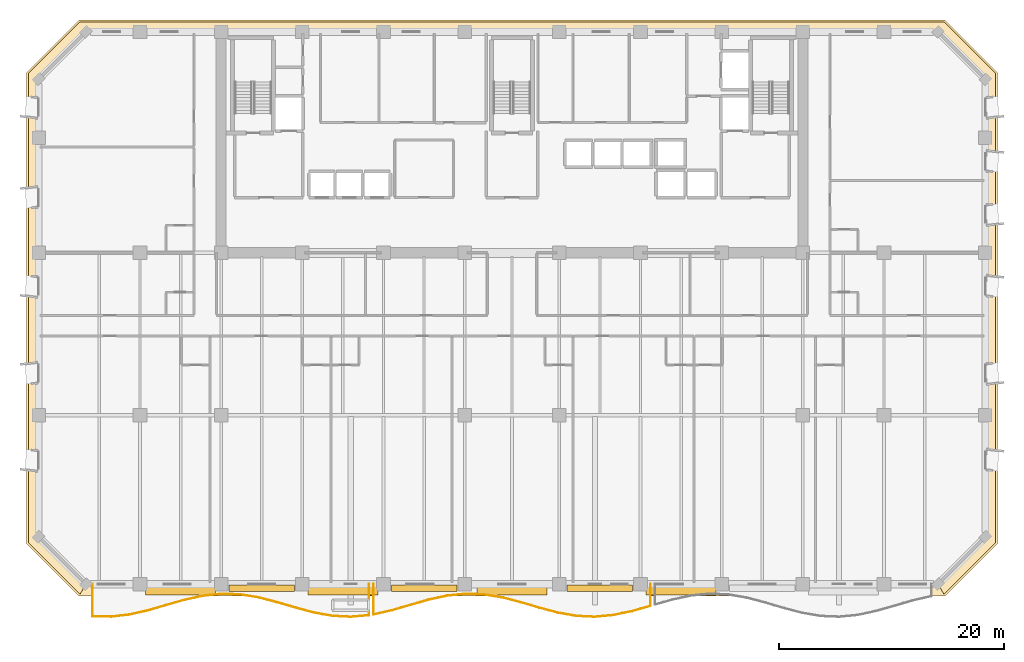
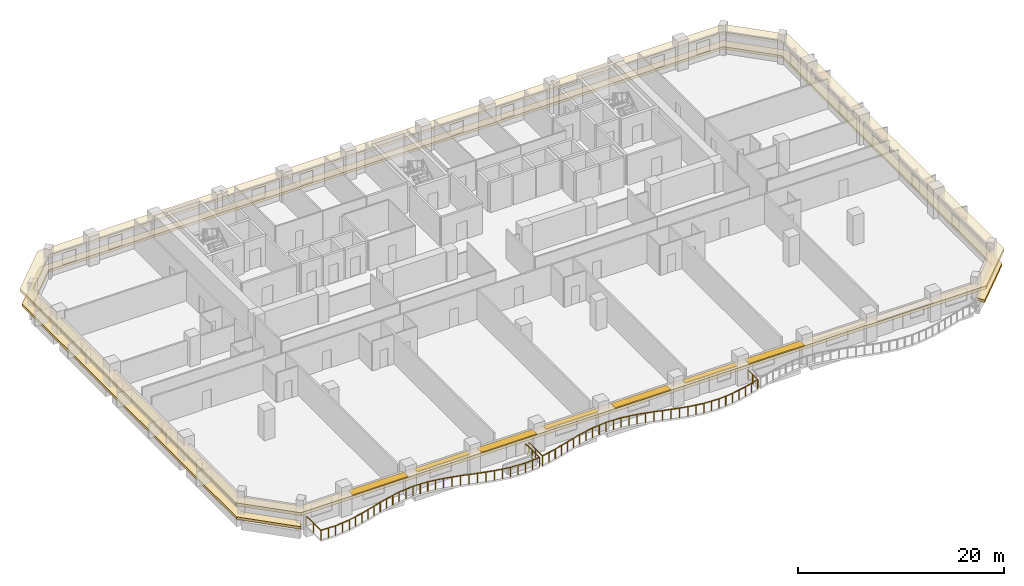
# One storey, part 12 of 15: 7 shading devices, 2 coverings, 2 railings.
"""IFC4 building model written with IfcOpenShell, lengths in metres."""

from ifc_helpers import new_model, si_unit, direction, frame, origin, origin_2d, place, context, subcontext, project, spatial, polyline, rectangle, outline, extrude, material, layer, layer_set, type_object, element, save


model = new_model("IFC4")

# Units and contexts
model_context = context("Model", 3, precision=1e-05, world=origin(), true_north=direction((0.0, 1.0)))
body_context = subcontext(model_context, "Body", "Model", "MODEL_VIEW")
ifc_project = project(units=[si_unit("LENGTHUNIT", "METRE"), si_unit("AREAUNIT", "SQUARE_METRE"), si_unit("VOLUMEUNIT", "CUBIC_METRE"), si_unit("PLANEANGLEUNIT", "RADIAN"), si_unit("MASSUNIT", "GRAM", prefix="KILO")], contexts=[model_context])

# Site, building, storey
site_placement = place(None, origin())
site = spatial("IfcSite", under=ifc_project, at=site_placement, CompositionType="ELEMENT")
building_placement = place(site_placement, origin())
building = spatial("IfcBuilding", under=site, at=building_placement, Name="Kaelvorn Grand Hotel", CompositionType="ELEMENT")
storey_placement = place(building_placement, frame((0.0, 0.0, 96.800048828125)))
storey = spatial("IfcBuildingStorey", under=building, at=storey_placement, Name="L22", CompositionType="ELEMENT", Elevation=96.800048828125)

# Coverings
ifc_material_1 = material(Name="Precast concrete C45/55", Category="concrete")
ifc_layer_1 = layer(ifc_material_1, 0.260009765625)
ifc_layer_set_1 = layer_set([ifc_layer_1], Name="Precast concrete C45/55")
covering_type_1 = type_object("IfcCoveringType", Name="COV-BAND-STREAMLINE-HEAD", PredefinedType="CLADDING", material=ifc_layer_set_1)
covering_1_placement = place(storey_placement, frame((0.0, 0.0, 2.179931640625)))
element("IfcCovering", 1, at=covering_1_placement, inside=storey, type_object=covering_type_1, Name="L22 Streamline Moderne Wraparound Horizontal Eyebrow Band", PredefinedType="CLADDING", context=body_context, shape_type="SweptSolid", body=[
    extrude(outline(polyline([(3.590087890625, -1.050048828125), (80.409912109375, -1.050048828125), (85.050048828125, 3.590087890625), (85.050048828125, 45.409912109375), (80.409912109375, 50.050048828125), (3.590087890625, 50.050048828125), (-1.050048828125, 45.409912109375), (-1.050048828125, 3.590087890625), (3.590087890625, -1.050048828125)]), holes=[polyline([(4.219970703125, 0.030029296875), (79.780029296875, 0.030029296875), (83.969970703125, 4.219970703125), (83.969970703125, 44.780029296875), (79.780029296875, 48.969970703125), (4.219970703125, 48.969970703125), (0.030029296875, 44.780029296875), (0.030029296875, 4.219970703125), (4.219970703125, 0.030029296875)])]), origin(), (0.0, 0.0, 1.0), 0.360107421875),
])
ifc_layer_2 = layer(ifc_material_1, 0.219970703125)
ifc_layer_set_2 = layer_set([ifc_layer_2], Name="Precast concrete C45/55")
covering_type_2 = type_object("IfcCoveringType", Name="COV-BAND-STREAMLINE-SILL", PredefinedType="CLADDING", material=ifc_layer_set_2)
covering_2_placement = place(storey_placement, frame((0.0, 0.0, 0.449951171875)))
element("IfcCovering", 2, at=covering_2_placement, inside=storey, type_object=covering_type_2, Name="L22 Streamline Moderne Wraparound Horizontal Sill Spandrel Band", PredefinedType="CLADDING", context=body_context, shape_type="SweptSolid", body=[
    extrude(outline(polyline([(80.3154296875, -0.8798828125), (84.8798828125, 3.6845703125), (84.8798828125, 45.3154296875), (80.3154296875, 49.8798828125), (3.6845703125, 49.8798828125), (-0.8798828125, 45.3154296875), (-0.8798828125, 3.6845703125), (3.6845703125, -0.8798828125), (4.217529296875, 0.030029296875), (0.030029296875, 4.217529296875), (0.030029296875, 44.782470703125), (4.217529296875, 48.969970703125), (79.782470703125, 48.969970703125), (83.969970703125, 44.782470703125), (83.969970703125, 4.217529296875), (79.782470703125, 0.030029296875), (80.3154296875, -0.8798828125)])), origin(), (0.0, 0.0, 1.0), 0.300048828125),
])

# Railings
ifc_material_2 = material(Name="Stainless Steel", Category="steel")
railing_type = type_object("IfcRailingType", Name="RL-BALC-1150", PredefinedType="BALUSTRADE", material=ifc_material_2)
railing_1_placement = place(storey_placement, frame((4.800048828125, 0.0, 0.0)))
element("IfcRailing", 3, at=railing_1_placement, inside=storey, type_object=railing_type, Name="L22 Scalloped Wave Balcony Balustrade GR1-1", PredefinedType="BALUSTRADE", context=body_context, shape_type="SweptSolid", body=[
    extrude(rectangle(XDim=0.048095703125, YDim=0.048095703125, at=origin_2d()), frame((0.0, 0.0, 1.1259765625), z_axis=(0.0, -1.0, 0.0), x_axis=(1.0, 0.0, 0.0)), (0.0, 0.0, 1.0), 2.849853515625),
    extrude(rectangle(XDim=0.048095703125, YDim=0.048095703125, at=origin_2d()), frame((0.0, -2.849853515625, 1.1259765625), z_axis=(0.999746055688, -0.022534953636, 0.0), x_axis=(0.022534953636, 0.999746055688, 0.0)), (0.0, 0.0, 1.0), 1.635986328125),
    extrude(rectangle(XDim=0.048095703125, YDim=0.048095703125, at=origin_2d()), frame((1.635498046875, -2.88671875, 1.1259765625), z_axis=(0.993458851833, 0.114190672624, 0.0), x_axis=(-0.114190672624, 0.993458851833, 0.0)), (0.0, 0.0, 1.0), 1.646240234375),
    extrude(rectangle(XDim=0.048095703125, YDim=0.048095703125, at=origin_2d()), frame((3.27099609375, -2.69873046875, 1.1259765625), z_axis=(0.975249967804, 0.221105179268, 0.0), x_axis=(-0.221105179268, 0.975249967804, 0.0)), (0.0, 0.0, 1.0), 1.67724609375),
    extrude(rectangle(XDim=0.048095703125, YDim=0.048095703125, at=origin_2d()), frame((4.90673828125, -2.327880859375, 1.1259765625), z_axis=(0.960877196389, 0.276974752385, 0.0), x_axis=(-0.276974752385, 0.960877196389, 0.0)), (0.0, 0.0, 1.0), 1.7021484375),
    extrude(rectangle(XDim=0.048095703125, YDim=0.048095703125, at=origin_2d()), frame((6.542236328125, -1.8564453125, 1.1259765625), z_axis=(0.961523947641, 0.274721127897, 0.0), x_axis=(-0.274721127897, 0.961523947641, 0.0)), (0.0, 0.0, 1.0), 1.700927734375),
    extrude(rectangle(XDim=0.048095703125, YDim=0.048095703125, at=origin_2d()), frame((8.177734375, -1.38916015625, 1.1259765625), z_axis=(0.976698893924, 0.21461423673, 0.0), x_axis=(-0.21461423673, 0.976698893924, 0.0)), (0.0, 0.0, 1.0), 1.674560546875),
    extrude(rectangle(XDim=0.048095703125, YDim=0.048095703125, at=origin_2d()), frame((9.813232421875, -1.02978515625, 1.1259765625), z_axis=(0.994538755279, 0.104367927297, 0.0), x_axis=(-0.104367927297, 0.994538755279, 0.0)), (0.0, 0.0, 1.0), 1.64453125),
    extrude(rectangle(XDim=0.048095703125, YDim=0.048095703125, at=origin_2d()), frame((11.44873046875, -0.858154296875, 1.1259765625), z_axis=(0.999451509735, -0.033116154502, 0.0), x_axis=(0.033116154502, 0.999451509735, 0.0)), (0.0, 0.0, 1.0), 1.63671875),
    extrude(rectangle(XDim=0.048095703125, YDim=0.048095703125, at=origin_2d()), frame((13.08447265625, -0.912353515625, 1.1259765625), z_axis=(0.986832291042, -0.161746806324, 0.0), x_axis=(0.161746806324, 0.986832291042, 0.0)), (0.0, 0.0, 1.0), 1.6572265625),
    extrude(rectangle(XDim=0.048095703125, YDim=0.048095703125, at=origin_2d()), frame((14.719970703125, -1.180419921875, 1.1259765625), z_axis=(0.96823444274, -0.25004412389, 0.0), x_axis=(0.25004412389, 0.96823444274, 0.0)), (0.0, 0.0, 1.0), 1.689208984375),
    extrude(rectangle(XDim=0.048095703125, YDim=0.048095703125, at=origin_2d()), frame((16.35546875, -1.602783203125, 1.1259765625), z_axis=(0.959105197492, -0.283049854522, 0.0), x_axis=(0.283049854522, 0.959105197492, 0.0)), (0.0, 0.0, 1.0), 1.705322265625),
    extrude(rectangle(XDim=0.048095703125, YDim=0.048095703125, at=origin_2d()), frame((17.990966796875, -2.08544921875, 1.1259765625), z_axis=(0.966258871987, -0.257572887368, 0.0), x_axis=(0.257572887368, 0.966258871987, 0.0)), (0.0, 0.0, 1.0), 1.69287109375),
    extrude(rectangle(XDim=0.048095703125, YDim=0.048095703125, at=origin_2d()), frame((19.626708984375, -2.521484375, 1.1259765625), z_axis=(0.984383042767, -0.176039839563, 0.0), x_axis=(0.176039839563, 0.984383042767, 0.0)), (0.0, 0.0, 1.0), 1.661376953125),
    extrude(rectangle(XDim=0.048095703125, YDim=0.048095703125, at=origin_2d()), frame((21.26220703125, -2.81396484375, 1.1259765625), z_axis=(0.998684141863, -0.05128337734, 0.0), x_axis=(0.05128337734, 0.998684141863, 0.0)), (0.0, 0.0, 1.0), 1.6376953125),
    extrude(rectangle(XDim=0.048095703125, YDim=0.048095703125, at=origin_2d()), frame((22.897705078125, -2.89794921875, 1.1259765625), z_axis=(0.996182895251, 0.087290544785, 0.0), x_axis=(-0.087290544785, 0.996182895251, 0.0)), (0.0, 0.0, 1.0), 1.641845703125),
    extrude(rectangle(XDim=0.048095703125, YDim=0.048095703125, at=origin_2d()), frame((24.533203125, -2.754638671875, 1.1259765625), z_axis=(0.0, 1.0, 0.0), x_axis=(-1.0, 0.0, 0.0)), (0.0, 0.0, 1.0), 2.754638671875),
    extrude(rectangle(XDim=0.0419921875, YDim=0.0419921875, at=origin_2d()), origin(), (0.0, 0.0, 1.0), 1.101806640625),
    extrude(rectangle(XDim=0.0419921875, YDim=0.0419921875, at=origin_2d()), frame((0.0, -1.4248046875, 0.0)), (0.0, 0.0, 1.0), 1.101806640625),
    extrude(rectangle(XDim=0.0419921875, YDim=0.0419921875, at=origin_2d()), frame((0.0, -2.849853515625, 0.0)), (0.0, 0.0, 1.0), 1.101806640625),
    extrude(rectangle(XDim=0.0419921875, YDim=0.0419921875, at=origin_2d()), frame((0.81787109375, -2.8681640625, 0.0)), (0.0, 0.0, 1.0), 1.101806640625),
    extrude(rectangle(XDim=0.0419921875, YDim=0.0419921875, at=origin_2d()), frame((1.635498046875, -2.88671875, 0.0)), (0.0, 0.0, 1.0), 1.101806640625),
    extrude(rectangle(XDim=0.0419921875, YDim=0.0419921875, at=origin_2d()), frame((2.453125, -2.792724609375, 0.0)), (0.0, 0.0, 1.0), 1.101806640625),
    extrude(rectangle(XDim=0.0419921875, YDim=0.0419921875, at=origin_2d()), frame((3.27099609375, -2.69873046875, 0.0)), (0.0, 0.0, 1.0), 1.101806640625),
    extrude(rectangle(XDim=0.0419921875, YDim=0.0419921875, at=origin_2d()), frame((4.0888671875, -2.51318359375, 0.0)), (0.0, 0.0, 1.0), 1.101806640625),
    extrude(rectangle(XDim=0.0419921875, YDim=0.0419921875, at=origin_2d()), frame((4.90673828125, -2.327880859375, 0.0)), (0.0, 0.0, 1.0), 1.101806640625),
    extrude(rectangle(XDim=0.0419921875, YDim=0.0419921875, at=origin_2d()), frame((5.724609375, -2.09228515625, 0.0)), (0.0, 0.0, 1.0), 1.101806640625),
    extrude(rectangle(XDim=0.0419921875, YDim=0.0419921875, at=origin_2d()), frame((6.542236328125, -1.8564453125, 0.0)), (0.0, 0.0, 1.0), 1.101806640625),
    extrude(rectangle(XDim=0.0419921875, YDim=0.0419921875, at=origin_2d()), frame((7.35986328125, -1.622802734375, 0.0)), (0.0, 0.0, 1.0), 1.101806640625),
    extrude(rectangle(XDim=0.0419921875, YDim=0.0419921875, at=origin_2d()), frame((8.177734375, -1.38916015625, 0.0)), (0.0, 0.0, 1.0), 1.101806640625),
    extrude(rectangle(XDim=0.0419921875, YDim=0.0419921875, at=origin_2d()), frame((8.99560546875, -1.20947265625, 0.0)), (0.0, 0.0, 1.0), 1.101806640625),
    extrude(rectangle(XDim=0.0419921875, YDim=0.0419921875, at=origin_2d()), frame((9.813232421875, -1.02978515625, 0.0)), (0.0, 0.0, 1.0), 1.101806640625),
    extrude(rectangle(XDim=0.0419921875, YDim=0.0419921875, at=origin_2d()), frame((10.630859375, -0.94384765625, 0.0)), (0.0, 0.0, 1.0), 1.101806640625),
    extrude(rectangle(XDim=0.0419921875, YDim=0.0419921875, at=origin_2d()), frame((11.44873046875, -0.858154296875, 0.0)), (0.0, 0.0, 1.0), 1.101806640625),
    extrude(rectangle(XDim=0.0419921875, YDim=0.0419921875, at=origin_2d()), frame((12.2666015625, -0.88525390625, 0.0)), (0.0, 0.0, 1.0), 1.101806640625),
    extrude(rectangle(XDim=0.0419921875, YDim=0.0419921875, at=origin_2d()), frame((13.08447265625, -0.912353515625, 0.0)), (0.0, 0.0, 1.0), 1.101806640625),
    extrude(rectangle(XDim=0.0419921875, YDim=0.0419921875, at=origin_2d()), frame((13.90234375, -1.04638671875, 0.0)), (0.0, 0.0, 1.0), 1.101806640625),
    extrude(rectangle(XDim=0.0419921875, YDim=0.0419921875, at=origin_2d()), frame((14.719970703125, -1.180419921875, 0.0)), (0.0, 0.0, 1.0), 1.101806640625),
    extrude(rectangle(XDim=0.0419921875, YDim=0.0419921875, at=origin_2d()), frame((15.53759765625, -1.3916015625, 0.0)), (0.0, 0.0, 1.0), 1.101806640625),
    extrude(rectangle(XDim=0.0419921875, YDim=0.0419921875, at=origin_2d()), frame((16.35546875, -1.602783203125, 0.0)), (0.0, 0.0, 1.0), 1.101806640625),
    extrude(rectangle(XDim=0.0419921875, YDim=0.0419921875, at=origin_2d()), frame((17.17333984375, -1.84423828125, 0.0)), (0.0, 0.0, 1.0), 1.101806640625),
    extrude(rectangle(XDim=0.0419921875, YDim=0.0419921875, at=origin_2d()), frame((17.990966796875, -2.08544921875, 0.0)), (0.0, 0.0, 1.0), 1.101806640625),
    extrude(rectangle(XDim=0.0419921875, YDim=0.0419921875, at=origin_2d()), frame((18.808837890625, -2.303466796875, 0.0)), (0.0, 0.0, 1.0), 1.101806640625),
    extrude(rectangle(XDim=0.0419921875, YDim=0.0419921875, at=origin_2d()), frame((19.626708984375, -2.521484375, 0.0)), (0.0, 0.0, 1.0), 1.101806640625),
    extrude(rectangle(XDim=0.0419921875, YDim=0.0419921875, at=origin_2d()), frame((20.4443359375, -2.667724609375, 0.0)), (0.0, 0.0, 1.0), 1.101806640625),
    extrude(rectangle(XDim=0.0419921875, YDim=0.0419921875, at=origin_2d()), frame((21.26220703125, -2.81396484375, 0.0)), (0.0, 0.0, 1.0), 1.101806640625),
    extrude(rectangle(XDim=0.0419921875, YDim=0.0419921875, at=origin_2d()), frame((22.080078125, -2.85595703125, 0.0)), (0.0, 0.0, 1.0), 1.101806640625),
    extrude(rectangle(XDim=0.0419921875, YDim=0.0419921875, at=origin_2d()), frame((22.897705078125, -2.89794921875, 0.0)), (0.0, 0.0, 1.0), 1.101806640625),
    extrude(rectangle(XDim=0.0419921875, YDim=0.0419921875, at=origin_2d()), frame((23.71533203125, -2.826171875, 0.0)), (0.0, 0.0, 1.0), 1.101806640625),
    extrude(rectangle(XDim=0.0419921875, YDim=0.0419921875, at=origin_2d()), frame((24.533203125, -2.754638671875, 0.0)), (0.0, 0.0, 1.0), 1.101806640625),
    extrude(rectangle(XDim=0.0419921875, YDim=0.0419921875, at=origin_2d()), frame((24.533203125, -1.37744140625, 0.0)), (0.0, 0.0, 1.0), 1.101806640625),
    extrude(rectangle(XDim=0.0419921875, YDim=0.0419921875, at=origin_2d()), frame((24.533203125, 0.0, 0.0)), (0.0, 0.0, 1.0), 1.101806640625),
])
railing_2_placement = place(storey_placement, frame((29.7333984375, 0.0, 0.0)))
element("IfcRailing", 4, at=railing_2_placement, inside=storey, type_object=railing_type, Name="L22 Scalloped Wave Balcony Balustrade GR1-2", PredefinedType="BALUSTRADE", context=body_context, shape_type="SweptSolid", body=[
    extrude(rectangle(XDim=0.048095703125, YDim=0.048095703125, at=origin_2d()), frame((0.0, 0.0, 1.1259765625), z_axis=(0.0, -1.0, 0.0), x_axis=(1.0, 0.0, 0.0)), (0.0, 0.0, 1.0), 2.6875),
    extrude(rectangle(XDim=0.048095703125, YDim=0.048095703125, at=origin_2d()), frame((0.0, -2.6875, 1.1259765625), z_axis=(0.974547877033, 0.22417947134, 0.0), x_axis=(-0.22417947134, 0.974547877033, 0.0)), (0.0, 0.0, 1.0), 1.67822265625),
    extrude(rectangle(XDim=0.048095703125, YDim=0.048095703125, at=origin_2d()), frame((1.635498046875, -2.311279296875, 1.1259765625), z_axis=(0.960571319089, 0.278033704689, 0.0), x_axis=(-0.278033704689, 0.960571319089, 0.0)), (0.0, 0.0, 1.0), 1.70263671875),
    extrude(rectangle(XDim=0.048095703125, YDim=0.048095703125, at=origin_2d()), frame((3.27099609375, -1.837890625, 1.1259765625), z_axis=(0.96186455439, 0.273526194374, 0.0), x_axis=(-0.273526194374, 0.96186455439, 0.0)), (0.0, 0.0, 1.0), 1.700439453125),
    extrude(rectangle(XDim=0.048095703125, YDim=0.048095703125, at=origin_2d()), frame((4.906494140625, -1.372802734375, 1.1259765625), z_axis=(0.977433707694, 0.211242389364, 0.0), x_axis=(-0.211242389364, 0.977433707694, 0.0)), (0.0, 0.0, 1.0), 1.673583984375),
    extrude(rectangle(XDim=0.048095703125, YDim=0.048095703125, at=origin_2d()), frame((6.542236328125, -1.019287109375, 1.1259765625), z_axis=(0.995050417391, 0.099371358297, 0.0), x_axis=(-0.099371358297, 0.995050417391, 0.0)), (0.0, 0.0, 1.0), 1.6435546875),
    extrude(rectangle(XDim=0.048095703125, YDim=0.048095703125, at=origin_2d()), frame((8.177734375, -0.85595703125, 1.1259765625), z_axis=(0.999264915568, -0.038335734184, 0.0), x_axis=(0.038335734184, 0.999264915568, 0.0)), (0.0, 0.0, 1.0), 1.63671875),
    extrude(rectangle(XDim=0.048095703125, YDim=0.048095703125, at=origin_2d()), frame((9.813232421875, -0.918701171875, 1.1259765625), z_axis=(0.986118033534, -0.166045848907, 0.0), x_axis=(0.166045848907, 0.986118033534, 0.0)), (0.0, 0.0, 1.0), 1.658447265625),
    extrude(rectangle(XDim=0.048095703125, YDim=0.048095703125, at=origin_2d()), frame((11.44873046875, -1.194091796875, 1.1259765625), z_axis=(0.967646406536, -0.252310189883, 0.0), x_axis=(0.252310189883, 0.967646406536, 0.0)), (0.0, 0.0, 1.0), 1.6904296875),
    extrude(rectangle(XDim=0.048095703125, YDim=0.048095703125, at=origin_2d()), frame((13.08447265625, -1.62060546875, 1.1259765625), z_axis=(0.959027432838, -0.2833132243, 0.0), x_axis=(0.2833132243, 0.959027432838, 0.0)), (0.0, 0.0, 1.0), 1.705322265625),
    extrude(rectangle(XDim=0.048095703125, YDim=0.048095703125, at=origin_2d()), frame((14.719970703125, -2.103759765625, 1.1259765625), z_axis=(0.966821682926, -0.255452213581, 0.0), x_axis=(0.255452213581, 0.966821682926, 0.0)), (0.0, 0.0, 1.0), 1.691650390625),
    extrude(rectangle(XDim=0.048095703125, YDim=0.048095703125, at=origin_2d()), frame((16.35546875, -2.535888671875, 1.1259765625), z_axis=(0.985113377214, -0.171905887142, 0.0), x_axis=(0.171905887142, 0.985113377214, 0.0)), (0.0, 0.0, 1.0), 1.66015625),
    extrude(rectangle(XDim=0.048095703125, YDim=0.048095703125, at=origin_2d()), frame((17.990966796875, -2.8212890625, 1.1259765625), z_axis=(0.998945044437, -0.045921652789, 0.0), x_axis=(0.045921652789, 0.998945044437, 0.0)), (0.0, 0.0, 1.0), 1.637451171875),
    extrude(rectangle(XDim=0.048095703125, YDim=0.048095703125, at=origin_2d()), frame((19.626708984375, -2.896484375, 1.1259765625), z_axis=(0.995730813029, 0.092304647692, 0.0), x_axis=(-0.092304647692, 0.995730813029, 0.0)), (0.0, 0.0, 1.0), 1.642578125),
    extrude(rectangle(XDim=0.048095703125, YDim=0.048095703125, at=origin_2d()), frame((21.26220703125, -2.744873046875, 1.1259765625), z_axis=(0.978500163728, 0.206246041377, 0.0), x_axis=(-0.206246041377, 0.978500163728, 0.0)), (0.0, 0.0, 1.0), 1.67138671875),
    extrude(rectangle(XDim=0.048095703125, YDim=0.048095703125, at=origin_2d()), frame((22.897705078125, -2.400146484375, 1.1259765625), z_axis=(0.962391909426, 0.27166489039, 0.0), x_axis=(-0.27166489039, 0.962391909426, 0.0)), (0.0, 0.0, 1.0), 1.699462890625),
    extrude(rectangle(XDim=0.048095703125, YDim=0.048095703125, at=origin_2d()), frame((24.533203125, -1.9384765625, 1.1259765625), z_axis=(0.0, 1.0, 0.0), x_axis=(-1.0, 0.0, 0.0)), (0.0, 0.0, 1.0), 1.9384765625),
    extrude(rectangle(XDim=0.0419921875, YDim=0.0419921875, at=origin_2d()), origin(), (0.0, 0.0, 1.0), 1.101806640625),
    extrude(rectangle(XDim=0.0419921875, YDim=0.0419921875, at=origin_2d()), frame((0.0, -1.34375, 0.0)), (0.0, 0.0, 1.0), 1.101806640625),
    extrude(rectangle(XDim=0.0419921875, YDim=0.0419921875, at=origin_2d()), frame((0.0, -2.6875, 0.0)), (0.0, 0.0, 1.0), 1.101806640625),
    extrude(rectangle(XDim=0.0419921875, YDim=0.0419921875, at=origin_2d()), frame((0.81787109375, -2.49951171875, 0.0)), (0.0, 0.0, 1.0), 1.101806640625),
    extrude(rectangle(XDim=0.0419921875, YDim=0.0419921875, at=origin_2d()), frame((1.635498046875, -2.311279296875, 0.0)), (0.0, 0.0, 1.0), 1.101806640625),
    extrude(rectangle(XDim=0.0419921875, YDim=0.0419921875, at=origin_2d()), frame((2.453125, -2.07470703125, 0.0)), (0.0, 0.0, 1.0), 1.101806640625),
    extrude(rectangle(XDim=0.0419921875, YDim=0.0419921875, at=origin_2d()), frame((3.27099609375, -1.837890625, 0.0)), (0.0, 0.0, 1.0), 1.101806640625),
    extrude(rectangle(XDim=0.0419921875, YDim=0.0419921875, at=origin_2d()), frame((4.0888671875, -1.60546875, 0.0)), (0.0, 0.0, 1.0), 1.101806640625),
    extrude(rectangle(XDim=0.0419921875, YDim=0.0419921875, at=origin_2d()), frame((4.906494140625, -1.372802734375, 0.0)), (0.0, 0.0, 1.0), 1.101806640625),
    extrude(rectangle(XDim=0.0419921875, YDim=0.0419921875, at=origin_2d()), frame((5.724365234375, -1.196044921875, 0.0)), (0.0, 0.0, 1.0), 1.101806640625),
    extrude(rectangle(XDim=0.0419921875, YDim=0.0419921875, at=origin_2d()), frame((6.542236328125, -1.019287109375, 0.0)), (0.0, 0.0, 1.0), 1.101806640625),
    extrude(rectangle(XDim=0.0419921875, YDim=0.0419921875, at=origin_2d()), frame((7.35986328125, -0.9375, 0.0)), (0.0, 0.0, 1.0), 1.101806640625),
    extrude(rectangle(XDim=0.0419921875, YDim=0.0419921875, at=origin_2d()), frame((8.177734375, -0.85595703125, 0.0)), (0.0, 0.0, 1.0), 1.101806640625),
    extrude(rectangle(XDim=0.0419921875, YDim=0.0419921875, at=origin_2d()), frame((8.99560546875, -0.88720703125, 0.0)), (0.0, 0.0, 1.0), 1.101806640625),
    extrude(rectangle(XDim=0.0419921875, YDim=0.0419921875, at=origin_2d()), frame((9.813232421875, -0.918701171875, 0.0)), (0.0, 0.0, 1.0), 1.101806640625),
    extrude(rectangle(XDim=0.0419921875, YDim=0.0419921875, at=origin_2d()), frame((10.630859375, -1.056396484375, 0.0)), (0.0, 0.0, 1.0), 1.101806640625),
    extrude(rectangle(XDim=0.0419921875, YDim=0.0419921875, at=origin_2d()), frame((11.44873046875, -1.194091796875, 0.0)), (0.0, 0.0, 1.0), 1.101806640625),
    extrude(rectangle(XDim=0.0419921875, YDim=0.0419921875, at=origin_2d()), frame((12.2666015625, -1.4072265625, 0.0)), (0.0, 0.0, 1.0), 1.101806640625),
    extrude(rectangle(XDim=0.0419921875, YDim=0.0419921875, at=origin_2d()), frame((13.08447265625, -1.62060546875, 0.0)), (0.0, 0.0, 1.0), 1.101806640625),
    extrude(rectangle(XDim=0.0419921875, YDim=0.0419921875, at=origin_2d()), frame((13.90234375, -1.8623046875, 0.0)), (0.0, 0.0, 1.0), 1.101806640625),
    extrude(rectangle(XDim=0.0419921875, YDim=0.0419921875, at=origin_2d()), frame((14.719970703125, -2.103759765625, 0.0)), (0.0, 0.0, 1.0), 1.101806640625),
    extrude(rectangle(XDim=0.0419921875, YDim=0.0419921875, at=origin_2d()), frame((15.53759765625, -2.31982421875, 0.0)), (0.0, 0.0, 1.0), 1.101806640625),
    extrude(rectangle(XDim=0.0419921875, YDim=0.0419921875, at=origin_2d()), frame((16.35546875, -2.535888671875, 0.0)), (0.0, 0.0, 1.0), 1.101806640625),
    extrude(rectangle(XDim=0.0419921875, YDim=0.0419921875, at=origin_2d()), frame((17.17333984375, -2.6787109375, 0.0)), (0.0, 0.0, 1.0), 1.101806640625),
    extrude(rectangle(XDim=0.0419921875, YDim=0.0419921875, at=origin_2d()), frame((17.990966796875, -2.8212890625, 0.0)), (0.0, 0.0, 1.0), 1.101806640625),
    extrude(rectangle(XDim=0.0419921875, YDim=0.0419921875, at=origin_2d()), frame((18.808837890625, -2.85888671875, 0.0)), (0.0, 0.0, 1.0), 1.101806640625),
    extrude(rectangle(XDim=0.0419921875, YDim=0.0419921875, at=origin_2d()), frame((19.626708984375, -2.896484375, 0.0)), (0.0, 0.0, 1.0), 1.101806640625),
    extrude(rectangle(XDim=0.0419921875, YDim=0.0419921875, at=origin_2d()), frame((20.4443359375, -2.82080078125, 0.0)), (0.0, 0.0, 1.0), 1.101806640625),
    extrude(rectangle(XDim=0.0419921875, YDim=0.0419921875, at=origin_2d()), frame((21.26220703125, -2.744873046875, 0.0)), (0.0, 0.0, 1.0), 1.101806640625),
    extrude(rectangle(XDim=0.0419921875, YDim=0.0419921875, at=origin_2d()), frame((22.080078125, -2.572509765625, 0.0)), (0.0, 0.0, 1.0), 1.101806640625),
    extrude(rectangle(XDim=0.0419921875, YDim=0.0419921875, at=origin_2d()), frame((22.897705078125, -2.400146484375, 0.0)), (0.0, 0.0, 1.0), 1.101806640625),
    extrude(rectangle(XDim=0.0419921875, YDim=0.0419921875, at=origin_2d()), frame((23.71533203125, -2.16943359375, 0.0)), (0.0, 0.0, 1.0), 1.101806640625),
    extrude(rectangle(XDim=0.0419921875, YDim=0.0419921875, at=origin_2d()), frame((24.533203125, -1.9384765625, 0.0)), (0.0, 0.0, 1.0), 1.101806640625),
    extrude(rectangle(XDim=0.0419921875, YDim=0.0419921875, at=origin_2d()), frame((24.533203125, -0.96923828125, 0.0)), (0.0, 0.0, 1.0), 1.101806640625),
    extrude(rectangle(XDim=0.0419921875, YDim=0.0419921875, at=origin_2d()), frame((24.533203125, 0.0, 0.0)), (0.0, 0.0, 1.0), 1.101806640625),
])

# Shading devices
ifc_layer_3 = layer(ifc_material_1, 0.1201171875)
ifc_layer_set_3 = layer_set([ifc_layer_3], Name="Precast concrete C45/55")
shading_device_type_1 = type_object("IfcShadingDeviceType", Name="SHD-SUNSHADE-550", PredefinedType="USERDEFINED", material=ifc_layer_set_3)
for number, where, z_axis, x_axis, name in (
    (5, (19.800048828125, -0.364990234375, 2.419921875), (0.0, 0.0, 1.0), (1.0, 0.0, 0.0), "L22 Horizontal Concrete Sunshade Band SS-03"),
    (6, (34.199951171875, -0.364990234375, 2.419921875), (0.0, 0.0, 1.0), (1.0, 0.0, 0.0), "L22 Horizontal Concrete Sunshade Band SS-05"),
    (7, (49.800048828125, -0.364990234375, 2.419921875), (0.0, 0.0, 1.0), (1.0, 0.0, 0.0), "L22 Horizontal Concrete Sunshade Band SS-07"),
):
    element("IfcShadingDevice", number, at=place(storey_placement, frame(where, z_axis=z_axis, x_axis=x_axis)), inside=storey, type_object=shading_device_type_1, Name=name, ObjectType="SUNSHADE", PredefinedType="USERDEFINED", context=body_context, shape_type="SweptSolid", body=[
        extrude(rectangle(XDim=5.800048828125, YDim=0.550048828125, at=origin_2d()), origin(), (0.0, 0.0, 1.0), 0.1201171875),
    ])
ifc_layer_4 = layer(ifc_material_1, 0.139892578125)
ifc_layer_set_4 = layer_set([ifc_layer_4], Name="Precast concrete C45/55")
shading_device_type_2 = type_object("IfcShadingDeviceType", Name="SHD-SUNSHADE-850", PredefinedType="USERDEFINED", material=ifc_layer_set_4)
for number, where, z_axis, x_axis, name in (
    (8, (12.60009765625, -0.514892578125, 2.41015625), (0.0, 0.0, 1.0), (1.0, 0.0, 0.0), "L22 Horizontal Concrete Sunshade Band SS-02"),
    (9, (27.0, -0.514892578125, 2.41015625), (0.0, 0.0, 1.0), (1.0, 0.0, 0.0), "L22 Horizontal Concrete Sunshade Band SS-04"),
    (10, (42.0, -0.514892578125, 2.41015625), (0.0, 0.0, 1.0), (1.0, 0.0, 0.0), "L22 Horizontal Concrete Sunshade Band SS-06"),
    (11, (57.0, -0.514892578125, 2.41015625), (0.0, 0.0, 1.0), (1.0, 0.0, 0.0), "L22 Horizontal Concrete Sunshade Band SS-08"),
):
    element("IfcShadingDevice", number, at=place(storey_placement, frame(where, z_axis=z_axis, x_axis=x_axis)), inside=storey, type_object=shading_device_type_2, Name=name, ObjectType="SUNSHADE", PredefinedType="USERDEFINED", context=body_context, shape_type="SweptSolid", body=[
        extrude(rectangle(XDim=6.199951171875, YDim=0.85009765625, at=origin_2d()), origin(), (0.0, 0.0, 1.0), 0.139892578125),
    ])

save(model, "model.ifc")
